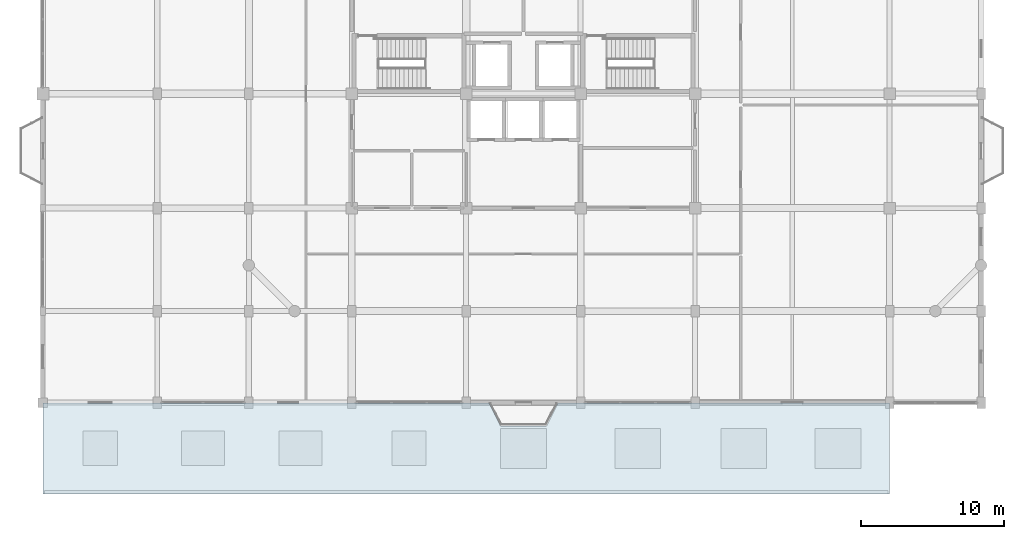
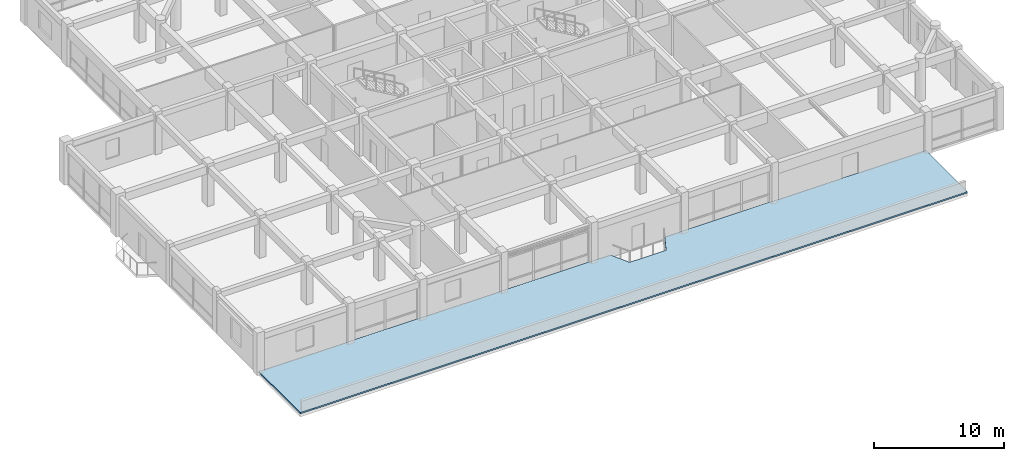
# One storey, part 19 of 20: 1 roof.
"""IFC4 building model written with IfcOpenShell, lengths in metres."""

from ifc_helpers import new_model, si_unit, direction, frame, origin, place, context, subcontext, project, spatial, polyline, outline, extrude, material, layer, layer_set, type_object, element, save


model = new_model("IFC4")

# Units and contexts
model_context = context("Model", 3, precision=1e-05, world=origin(), true_north=direction((0.0, 1.0)))
body_context = subcontext(model_context, "Body", "Model", "MODEL_VIEW")
ifc_project = project(units=[si_unit("LENGTHUNIT", "METRE"), si_unit("AREAUNIT", "SQUARE_METRE"), si_unit("VOLUMEUNIT", "CUBIC_METRE"), si_unit("PLANEANGLEUNIT", "RADIAN"), si_unit("MASSUNIT", "GRAM", prefix="KILO")], contexts=[model_context])

# Site, building, storey
site_placement = place(None, origin())
site = spatial("IfcSite", under=ifc_project, at=site_placement, CompositionType="ELEMENT")
building_placement = place(site_placement, origin())
building = spatial("IfcBuilding", under=site, at=building_placement, Name="Vellmiral Cinema and Media Centre", CompositionType="ELEMENT")
storey_placement = place(building_placement, frame((0.0, 0.0, 23.800048828125)))
storey = spatial("IfcBuildingStorey", under=building, at=storey_placement, Name="L05", CompositionType="ELEMENT", Elevation=23.800048828125)

# Roof
ifc_material = material(Name="Insulated Waterproof Roof Build-up")
ifc_layer = layer(ifc_material, 0.139892578125, Name="Insulated Waterproof Roof Build-up")
ifc_layer_set = layer_set([ifc_layer], Name="Insulated Waterproof Roof Build-up")
roof_type = type_object("IfcRoofType", Name="ROOF-FLAT-MEMBRANE", PredefinedType="FLAT_ROOF", material=ifc_layer_set)
roof_placement = place(storey_placement, origin())
element("IfcRoof", 1, at=roof_placement, inside=storey, type_object=roof_type, Name="Setback Flat Waterproof Roof SB05-SOUTH", PredefinedType="FLAT_ROOF", context=body_context, shape_type="SweptSolid", body=[
    extrude(outline(polyline([(102.39990234375, 59.199951171875), (161.60009765625, 59.199951171875), (161.60009765625, 65.580078125), (138.419921875, 65.580078125), (137.6201171875, 63.97998046875), (134.3798828125, 63.97998046875), (133.580078125, 65.580078125), (102.39990234375, 65.580078125), (102.39990234375, 59.199951171875)])), origin(), (0.0, 0.0, 1.0), 0.139892578125),
])

save(model, "model.ifc")
